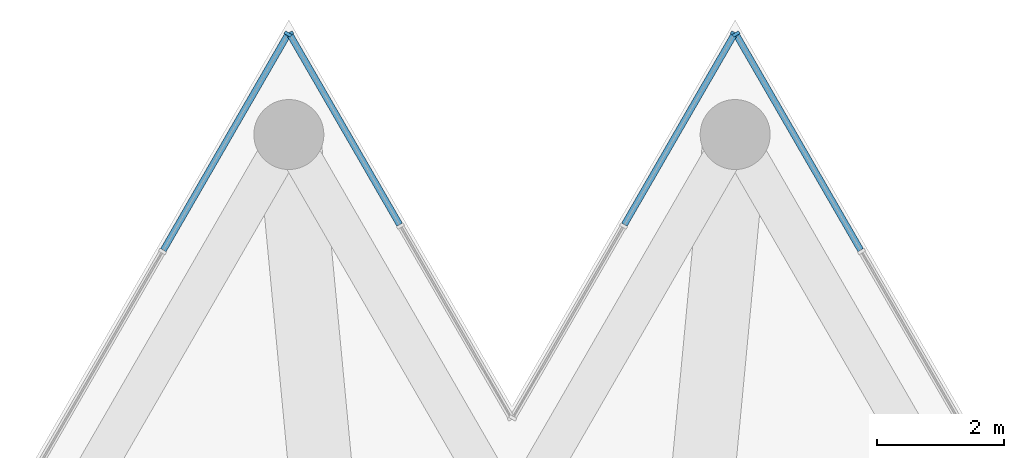
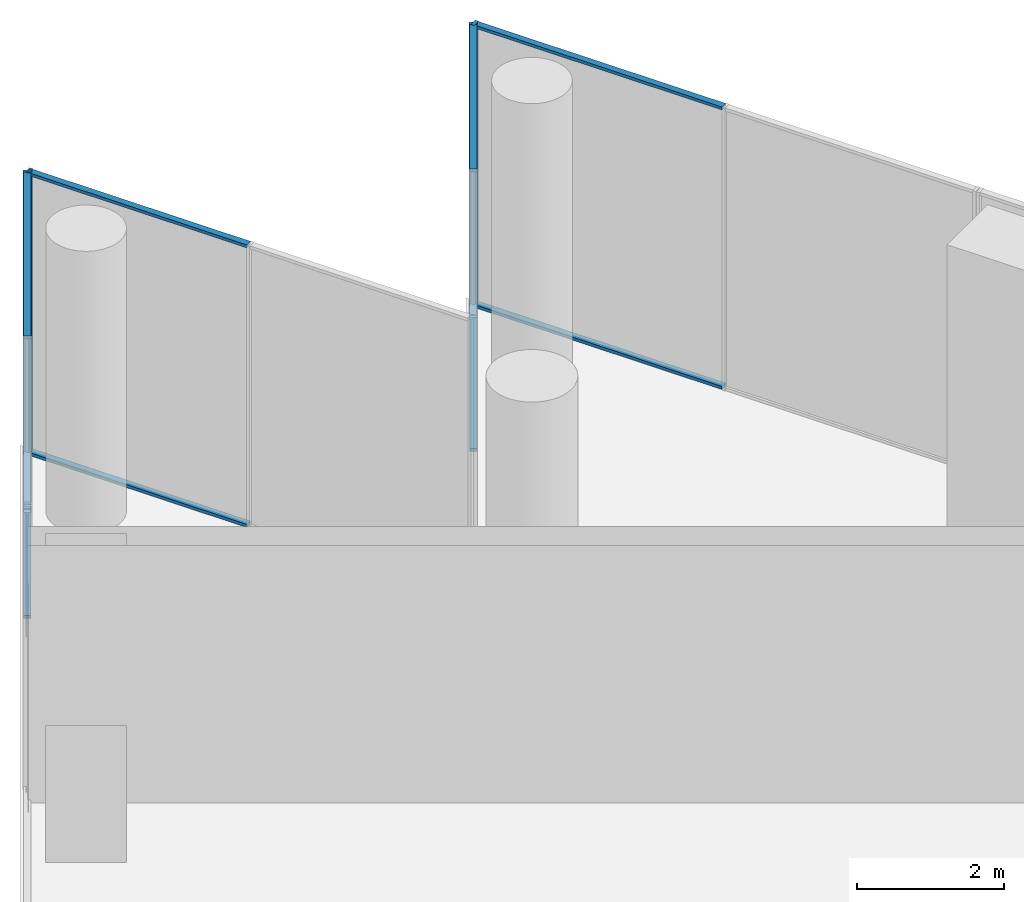
# One storey, part 19 of 28: 12 members, 4 elements without a shape of their own.
"""IFC4 building model written with IfcOpenShell, lengths in metres."""

import ifcopenshell
import ifcopenshell.guid

model = None  # the IFC model being written
_history = None  # IfcOwnerHistory: only IFC2X3 demands one
_inside = {}  # id of a spatial element -> (the spatial element, [elements in it])
_under = {}  # id of a project, library or spatial element -> (it, [spatial elements below it])
_declared = {}  # id of a project -> (the project, [libraries it declares])
_typed = {}  # id of a type object -> (the type object, [elements of that type])
_made_of = {}  # id of a material, layer set ... -> (it, [elements and type objects made of it])


def new_model(schema):
    """Start an empty IFC model of exactly this schema.

    Asked for "IFC4X3", IfcOpenShell would pick the latest addendum, in which some entities
    have other attributes; the version numbers below select the first issue.
    IFC2X3 requires an IfcOwnerHistory on every rooted entity: one is made here for all.
    """
    global model, _history
    if schema == "IFC4X3":
        model = ifcopenshell.file(schema_version=(4, 3, 0, 0))
    else:
        model = ifcopenshell.file(schema=schema)
    _inside.clear()
    _under.clear()
    _declared.clear()
    _typed.clear()
    _made_of.clear()
    _history = None
    if model.schema == "IFC2X3":
        org = make("IfcOrganization", Name="unknown")
        user = make(
            "IfcPersonAndOrganization",
            ThePerson=make("IfcPerson", FamilyName="unknown"),
            TheOrganization=org,
        )
        app = make(
            "IfcApplication",
            ApplicationDeveloper=org,
            Version="unknown",
            ApplicationFullName="unknown",
            ApplicationIdentifier="unknown",
        )
        _history = make(
            "IfcOwnerHistory",
            OwningUser=user,
            OwningApplication=app,
            ChangeAction="ADDED",
            CreationDate=0,
        )
    return model


def make(cls, **values):
    """One entity of the class cls with the attributes given. An attribute that is None is left unset."""
    return model.create_entity(
        cls, **{name: value for name, value in values.items() if value is not None}
    )


def rooted(cls, **values):
    """An entity with a GlobalId (a new one), such as an element, a storey or a relation."""
    return make(cls, GlobalId=ifcopenshell.guid.new(), OwnerHistory=_history, **values)


def si_unit(unit_type, name, prefix=None):
    """IfcSIUnit, for example si_unit("LENGTHUNIT", "METRE", prefix="MILLI")."""
    return make("IfcSIUnit", UnitType=unit_type, Prefix=prefix, Name=name)


def assignment(units):
    """IfcUnitAssignment: the units of a project."""
    return None if units is None else make("IfcUnitAssignment", Units=units)


def point(xyz):
    """IfcCartesianPoint."""
    return None if xyz is None else make("IfcCartesianPoint", Coordinates=xyz)


def direction(xyz):
    """IfcDirection."""
    return None if xyz is None else make("IfcDirection", DirectionRatios=xyz)


def frame(location, z_axis=None, x_axis=None):
    """IfcAxis2Placement3D, a coordinate frame: its origin and axes. An axis left out is left unset."""
    return make(
        "IfcAxis2Placement3D",
        Location=point(location),
        Axis=direction(z_axis),
        RefDirection=direction(x_axis),
    )


def frame_2d(location, x_axis=None):
    """IfcAxis2Placement2D, a coordinate frame in the plane: its origin and x axis."""
    return make(
        "IfcAxis2Placement2D", Location=point(location), RefDirection=direction(x_axis)
    )


def origin():
    """The frame at (0, 0, 0) with its axes left unset."""
    return frame((0.0, 0.0, 0.0))


def origin_2d():
    """The frame at (0, 0) in the plane with its x axis left unset."""
    return frame_2d((0.0, 0.0))


def place(relative_to, where):
    """IfcLocalPlacement: puts the frame where relative to a parent placement (None: the world)."""
    return make(
        "IfcLocalPlacement", PlacementRelTo=relative_to, RelativePlacement=where
    )


def context(
    kind, dimensions, precision=None, world=None, true_north=None, identifier=None
):
    """IfcGeometricRepresentationContext, for example the 3D "Model" context."""
    return make(
        "IfcGeometricRepresentationContext",
        ContextIdentifier=identifier,
        ContextType=kind,
        CoordinateSpaceDimension=dimensions,
        Precision=precision,
        WorldCoordinateSystem=world,
        TrueNorth=true_north,
    )


def subcontext(parent, identifier, kind, view, scale=None):
    """IfcGeometricRepresentationSubContext, for example "Body" below "Model"."""
    return make(
        "IfcGeometricRepresentationSubContext",
        ContextIdentifier=identifier,
        ContextType=kind,
        ParentContext=parent,
        TargetScale=scale,
        TargetView=view,
    )


def project(units=None, contexts=None):
    """IfcProject with its units and contexts."""
    return rooted(
        "IfcProject",
        Name="project",
        RepresentationContexts=contexts,
        UnitsInContext=assignment(units),
    )


def spatial(cls, under=None, at=None, **own):
    """A site, building, storey or space (cls), placed at a placement, below another one or the project."""
    s = rooted(cls, ObjectPlacement=at, **own)
    if under is not None:
        _under.setdefault(under.id(), (under, []))[1].append(s)
    return s


def profile(cls, at=None, kind="AREA", **sizes):
    """A parametric profile (cls). Its sizes go by their IFC names, for example OverallWidth=200.0."""
    return make(cls, ProfileType=kind, Position=at, **sizes)


def rectangle(**sizes):
    """IfcRectangleProfileDef."""
    return profile("IfcRectangleProfileDef", **sizes)


def extrude(swept, where, along, depth):
    """IfcExtrudedAreaSolid: the profile swept, set in the frame where, extruded along a direction by depth."""
    return make(
        "IfcExtrudedAreaSolid",
        SweptArea=swept,
        Position=where,
        ExtrudedDirection=direction(along),
        Depth=depth,
    )


def shape(context_of_items, identifier, shape_type, items):
    """IfcShapeRepresentation: the items that make up one representation, for example the "Body"."""
    return make(
        "IfcShapeRepresentation",
        ContextOfItems=context_of_items,
        RepresentationIdentifier=identifier,
        RepresentationType=shape_type,
        Items=items,
    )


def material(Name=None, Category=None):
    """IfcMaterial."""
    return make("IfcMaterial", Name=Name, Category=Category)


def layer(
    of_material, thickness, ventilated=None, Name=None, Category=None, Priority=None
):
    """IfcMaterialLayer: one layer of a wall or slab, of a material (None: an air gap)."""
    return make(
        "IfcMaterialLayer",
        Material=of_material,
        LayerThickness=thickness,
        IsVentilated=ventilated,
        Name=Name,
        Category=Category,
        Priority=Priority,
    )


def layer_set(layers, Name=None):
    """IfcMaterialLayerSet."""
    return make("IfcMaterialLayerSet", MaterialLayers=layers, LayerSetName=Name)


def material_profile(
    of_material, cross_section, Name=None, Category=None, Priority=None
):
    """IfcMaterialProfile: a cross section and its material."""
    return make(
        "IfcMaterialProfile",
        Name=Name,
        Material=of_material,
        Profile=cross_section,
        Priority=Priority,
        Category=Category,
    )


def profile_set(profiles, Name=None, composite=None):
    """IfcMaterialProfileSet."""
    return make(
        "IfcMaterialProfileSet",
        Name=Name,
        MaterialProfiles=profiles,
        CompositeProfile=composite,
    )


def made_of(thing, what):
    """Note that an element or type object is made of a material, layer set ...; save() writes the relation."""
    if what is not None:
        _made_of.setdefault(what.id(), (what, []))[1].append(thing)
    return thing


def type_object(cls, material=None, **own):
    """A type object (cls), such as IfcWallType, which elements share."""
    return made_of(rooted(cls, **own), material)


def element(
    cls,
    number,
    at=None,
    inside=None,
    cuts=None,
    type_object=None,
    material=None,
    context=None,
    identifier="Body",
    shape_type=None,
    held_by="IfcProductDefinitionShape",
    body=None,
    shapes=None,
    **own,
):
    """One element of the class cls, such as IfcWall. Its Tag is "e" and its number.

    at: its placement. inside: the storey or other place that contains it. cuts: it is an
    opening in that element (IfcRelVoidsElement). A single representation is given by context,
    identifier, shape_type and body (its items); several are given by shapes. held_by: the class
    of the entity that holds the representations. save() writes the other relations.
    """
    e = rooted(cls, Tag="e%d" % number, ObjectPlacement=at, **own)
    if body is not None:
        shapes = [shape(context, identifier, shape_type, body)]
    if shapes is not None:
        e.Representation = make(held_by, Representations=shapes)
    if inside is not None:
        _inside.setdefault(inside.id(), (inside, []))[1].append(e)
    if cuts is not None:
        rooted(
            "IfcRelVoidsElement", RelatingBuildingElement=cuts, RelatedOpeningElement=e
        )
    if type_object is not None:
        _typed.setdefault(type_object.id(), (type_object, []))[1].append(e)
    return made_of(e, material)


def aggregate(whole, parts):
    """IfcRelAggregates: a whole, such as a stair, and the parts it consists of."""
    return rooted("IfcRelAggregates", RelatingObject=whole, RelatedObjects=parts)


def save(model, path):
    """Write the relations noted so far, then the file.

    IfcRelAggregates (storeys below a building ...), IfcRelContainedInSpatialStructure (elements
    in a storey), IfcRelDefinesByType, IfcRelAssociatesMaterial and IfcRelDeclares: one each for
    every whole, place, type object, material and project.
    """
    for whole, parts in _under.values():
        aggregate(whole, parts)
    for where, things in _inside.values():
        rooted(
            "IfcRelContainedInSpatialStructure",
            RelatedElements=things,
            RelatingStructure=where,
        )
    for kind, things in _typed.values():
        rooted("IfcRelDefinesByType", RelatedObjects=things, RelatingType=kind)
    for what, things in _made_of.values():
        rooted("IfcRelAssociatesMaterial", RelatedObjects=things, RelatingMaterial=what)
    for by, libraries in _declared.values():
        rooted("IfcRelDeclares", RelatingContext=by, RelatedDefinitions=libraries)
    model.write(path)


model = new_model("IFC4")

# Units and contexts
model_context = context("Model", 3, precision=1e-05, world=origin(), true_north=direction((0.0, 1.0)))
body_context = subcontext(model_context, "Body", "Model", "MODEL_VIEW")
ifc_project = project(units=[si_unit("LENGTHUNIT", "METRE"), si_unit("AREAUNIT", "SQUARE_METRE"), si_unit("VOLUMEUNIT", "CUBIC_METRE"), si_unit("PLANEANGLEUNIT", "RADIAN"), si_unit("MASSUNIT", "GRAM", prefix="KILO")], contexts=[model_context])

# Site, building, storey
site_placement = place(None, origin())
site = spatial("IfcSite", under=ifc_project, at=site_placement, CompositionType="ELEMENT")
building_placement = place(site_placement, origin())
building = spatial("IfcBuilding", under=site, at=building_placement, Name="Triada Interchange Tower", CompositionType="ELEMENT")
storey_placement = place(building_placement, frame((0.0, 0.0, 30.300048828125)))
storey = spatial("IfcBuildingStorey", under=building, at=storey_placement, Name="L05", CompositionType="ELEMENT", Elevation=30.300048828125)

# Curtain wall, member
ifc_material_1 = material(Name="Aluminium framed glazing", Category="aluminium")
ifc_layer = layer(ifc_material_1, 0.199951171875)
ifc_layer_set = layer_set([ifc_layer], Name="Curtain wall Winter garden glazing")
curtain_wall_type = type_object("IfcCurtainWallType", Name="Curtain wall Winter garden glazing", PredefinedType="NOTDEFINED", material=ifc_layer_set)
curtain_wall_1_placement = place(storey_placement, origin())
curtain_wall_1 = element("IfcCurtainWall", 1, at=curtain_wall_1_placement, inside=storey, type_object=curtain_wall_type, Name="Winter garden glazing CW019 L05", PredefinedType="NOTDEFINED")
ifc_material_2 = material(Name="Aluminium", Category="aluminium")
ifc_material_profile_1 = material_profile(ifc_material_2, rectangle(XDim=0.1201171875, YDim=0.050048828125, at=origin_2d()), Name="Aluminium mullion")
ifc_profile_set_1 = profile_set([ifc_material_profile_1], Name="Aluminium")
member_type_1 = type_object("IfcMemberType", Name="Mullion Winter garden glazing 120x50", PredefinedType="MULLION", material=ifc_profile_set_1)
member_1_placement = place(storey_placement, frame((3.51953125, 38.703369140625, 0.0), z_axis=(0.0, 0.0, 1.0), x_axis=(-0.86604927658, -0.499958648825, 0.0)))
member_1 = element("IfcMember", 2, at=member_1_placement, type_object=member_type_1, Name="CW019 mullion 3", PredefinedType="MULLION", context=body_context, shape_type="SweptSolid", body=[
    extrude(rectangle(XDim=0.1201171875, YDim=0.050048828125, at=origin_2d()), origin(), (0.0, 0.0, 1.0), 4.699951171875),
])

curtain_wall_2_placement = place(storey_placement, origin())
curtain_wall_2 = element("IfcCurtainWall", 3, at=curtain_wall_2_placement, inside=storey, type_object=curtain_wall_type, Name="Winter garden glazing CW020 L05", PredefinedType="NOTDEFINED")
member_2_placement = place(storey_placement, frame((3.494384765625, 38.703369140625, 0.0), z_axis=(0.0, 0.0, 1.0), x_axis=(0.866050272896, -0.499956922962, 0.0)))
member_2 = element("IfcMember", 4, at=member_2_placement, type_object=member_type_1, Name="CW020 mullion 1", PredefinedType="MULLION", context=body_context, shape_type="SweptSolid", body=[
    extrude(rectangle(XDim=0.1201171875, YDim=0.050048828125, at=origin_2d()), origin(), (0.0, 0.0, 1.0), 4.699951171875),
])

curtain_wall_3_placement = place(storey_placement, origin())
curtain_wall_3 = element("IfcCurtainWall", 5, at=curtain_wall_3_placement, inside=storey, type_object=curtain_wall_type, Name="Winter garden glazing CW021 L05", PredefinedType="NOTDEFINED")
member_3_placement = place(storey_placement, frame((-3.494384765625, 38.703369140625, 0.0), z_axis=(0.0, 0.0, 1.0), x_axis=(-0.866050272896, -0.499956922962, 0.0)))
member_3 = element("IfcMember", 6, at=member_3_placement, type_object=member_type_1, Name="CW021 mullion 3", PredefinedType="MULLION", context=body_context, shape_type="SweptSolid", body=[
    extrude(rectangle(XDim=0.1201171875, YDim=0.050048828125, at=origin_2d()), origin(), (0.0, 0.0, 1.0), 4.699951171875),
])

curtain_wall_4_placement = place(storey_placement, origin())
curtain_wall_4 = element("IfcCurtainWall", 7, at=curtain_wall_4_placement, inside=storey, type_object=curtain_wall_type, Name="Winter garden glazing CW022 L05", PredefinedType="NOTDEFINED")
member_4_placement = place(storey_placement, frame((-3.51953125, 38.703369140625, 0.0), z_axis=(0.0, 0.0, 1.0), x_axis=(0.86604927658, -0.499958648825, 0.0)))
member_4 = element("IfcMember", 8, at=member_4_placement, type_object=member_type_1, Name="CW022 mullion 1", PredefinedType="MULLION", context=body_context, shape_type="SweptSolid", body=[
    extrude(rectangle(XDim=0.1201171875, YDim=0.050048828125, at=origin_2d()), origin(), (0.0, 0.0, 1.0), 4.699951171875),
])

# Member
ifc_material_profile_2 = material_profile(ifc_material_2, rectangle(XDim=0.10009765625, YDim=0.050048828125, at=origin_2d()), Name="Aluminium transom")
ifc_profile_set_2 = profile_set([ifc_material_profile_2], Name="Aluminium")
member_type_2 = type_object("IfcMemberType", Name="Transom Winter garden glazing 100x50", PredefinedType="USERDEFINED", material=ifc_profile_set_2)
member_5_placement = place(storey_placement, frame((5.4794921875, 35.30810546875, 0.02490234375), z_axis=(-0.499961171201, 0.866047820441, 0.0), x_axis=(-0.866047820441, -0.499961171201, 0.0)))
member_5 = element("IfcMember", 9, at=member_5_placement, type_object=member_type_2, Name="CW019 transom 2.1", ObjectType="TRANSOM", PredefinedType="USERDEFINED", context=body_context, shape_type="SweptSolid", body=[
    extrude(rectangle(XDim=0.10009765625, YDim=0.050048828125, at=origin_2d()), origin(), (0.0, 0.0, 1.0), 3.895263671875),
])

member_6_placement = place(storey_placement, frame((5.4794921875, 35.30810546875, 4.675048828125), z_axis=(-0.499961171201, 0.866047820441, 0.0), x_axis=(-0.866047820441, -0.499961171201, 0.0)))
member_6 = element("IfcMember", 10, at=member_6_placement, type_object=member_type_2, Name="CW019 transom 2.2", ObjectType="TRANSOM", PredefinedType="USERDEFINED", context=body_context, shape_type="SweptSolid", body=[
    extrude(rectangle(XDim=0.10009765625, YDim=0.050048828125, at=origin_2d()), origin(), (0.0, 0.0, 1.0), 3.895263671875),
])

aggregate(curtain_wall_1, [member_1, member_5, member_6])

member_7_placement = place(storey_placement, frame((3.48193359375, 38.681640625, 0.02490234375), z_axis=(-0.499933868592, -0.866063581404, 0.0), x_axis=(0.866063581404, -0.499933868592, 0.0)))
member_7 = element("IfcMember", 11, at=member_7_placement, type_object=member_type_2, Name="CW020 transom 1.1", ObjectType="TRANSOM", PredefinedType="USERDEFINED", context=body_context, shape_type="SweptSolid", body=[
    extrude(rectangle(XDim=0.10009765625, YDim=0.050048828125, at=origin_2d()), origin(), (0.0, 0.0, 1.0), 3.43212890625),
])

member_8_placement = place(storey_placement, frame((3.48193359375, 38.681640625, 4.675048828125), z_axis=(-0.499933868592, -0.866063581404, 0.0), x_axis=(0.866063581404, -0.499933868592, 0.0)))
member_8 = element("IfcMember", 12, at=member_8_placement, type_object=member_type_2, Name="CW020 transom 1.2", ObjectType="TRANSOM", PredefinedType="USERDEFINED", context=body_context, shape_type="SweptSolid", body=[
    extrude(rectangle(XDim=0.10009765625, YDim=0.050048828125, at=origin_2d()), origin(), (0.0, 0.0, 1.0), 3.43212890625),
])

aggregate(curtain_wall_2, [member_2, member_7, member_8])

member_9_placement = place(storey_placement, frame((-1.76611328125, 35.709228515625, 0.02490234375), z_axis=(-0.499933868592, 0.866063581404, 0.0), x_axis=(-0.866063581404, -0.499933868592, 0.0)))
member_9 = element("IfcMember", 13, at=member_9_placement, type_object=member_type_2, Name="CW021 transom 2.1", ObjectType="TRANSOM", PredefinedType="USERDEFINED", context=body_context, shape_type="SweptSolid", body=[
    extrude(rectangle(XDim=0.10009765625, YDim=0.050048828125, at=origin_2d()), origin(), (0.0, 0.0, 1.0), 3.43212890625),
])

member_10_placement = place(storey_placement, frame((-1.76611328125, 35.709228515625, 4.675048828125), z_axis=(-0.499933868592, 0.866063581404, 0.0), x_axis=(-0.866063581404, -0.499933868592, 0.0)))
member_10 = element("IfcMember", 14, at=member_10_placement, type_object=member_type_2, Name="CW021 transom 2.2", ObjectType="TRANSOM", PredefinedType="USERDEFINED", context=body_context, shape_type="SweptSolid", body=[
    extrude(rectangle(XDim=0.10009765625, YDim=0.050048828125, at=origin_2d()), origin(), (0.0, 0.0, 1.0), 3.43212890625),
])

aggregate(curtain_wall_3, [member_3, member_9, member_10])

member_11_placement = place(storey_placement, frame((-3.531982421875, 38.681640625, 0.02490234375), z_axis=(-0.499961171201, -0.866047820441, 0.0), x_axis=(0.866047820441, -0.499961171201, 0.0)))
member_11 = element("IfcMember", 15, at=member_11_placement, type_object=member_type_2, Name="CW022 transom 1.1", ObjectType="TRANSOM", PredefinedType="USERDEFINED", context=body_context, shape_type="SweptSolid", body=[
    extrude(rectangle(XDim=0.10009765625, YDim=0.050048828125, at=origin_2d()), origin(), (0.0, 0.0, 1.0), 3.895263671875),
])

member_12_placement = place(storey_placement, frame((-3.531982421875, 38.681640625, 4.675048828125), z_axis=(-0.499961171201, -0.866047820441, 0.0), x_axis=(0.866047820441, -0.499961171201, 0.0)))
member_12 = element("IfcMember", 16, at=member_12_placement, type_object=member_type_2, Name="CW022 transom 1.2", ObjectType="TRANSOM", PredefinedType="USERDEFINED", context=body_context, shape_type="SweptSolid", body=[
    extrude(rectangle(XDim=0.10009765625, YDim=0.050048828125, at=origin_2d()), origin(), (0.0, 0.0, 1.0), 3.895263671875),
])

aggregate(curtain_wall_4, [member_4, member_11, member_12])

save(model, "model.ifc")
